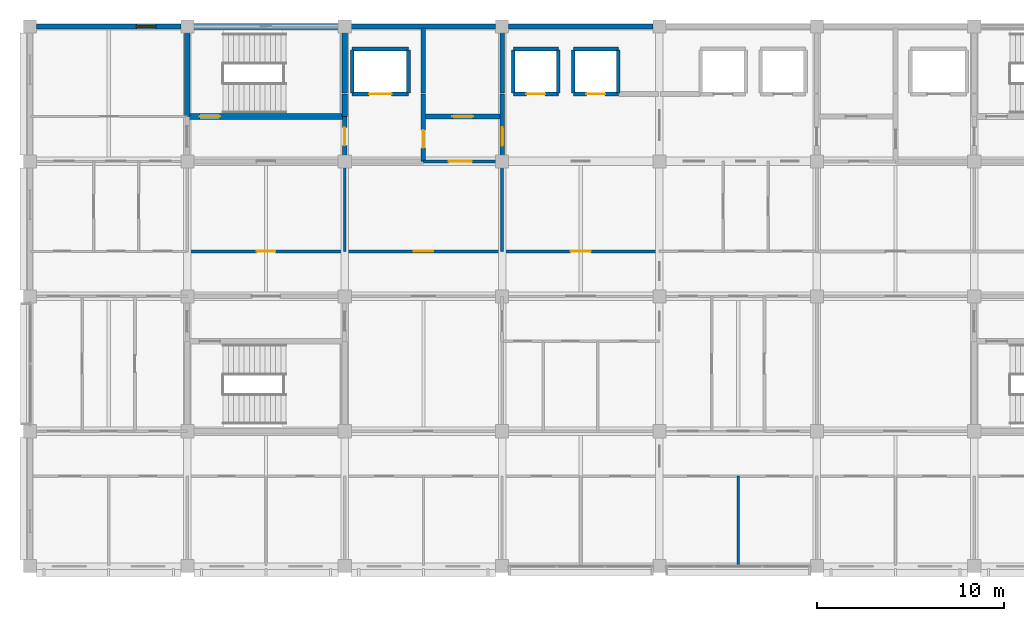
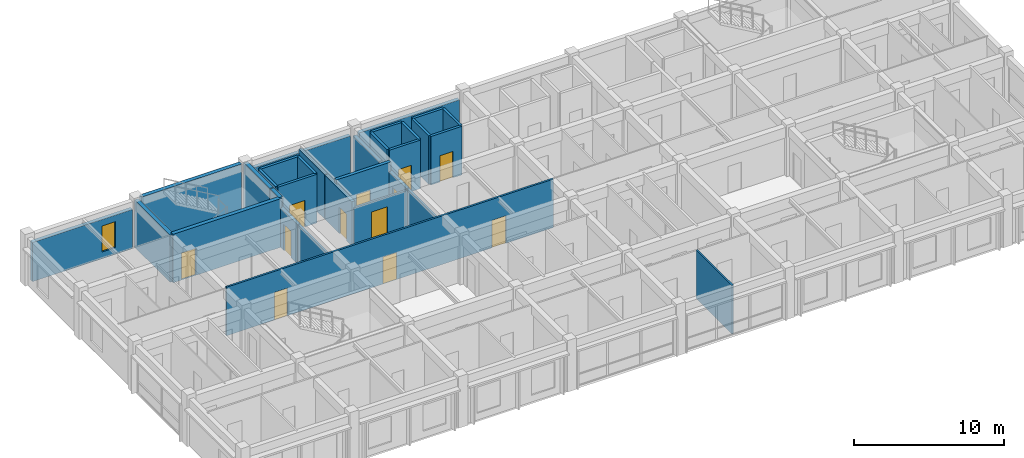
# One storey, part 12 of 19: 31 walls, 12 doors, 1 window, 13 openings.
"""IFC4 building model written with IfcOpenShell, lengths in metres."""

from ifc_helpers import new_model, si_unit, direction, frame, frame_2d, origin, place, context, subcontext, project, spatial, rectangle, extrude, material, layer, layer_set, type_object, element, fill, save


model = new_model("IFC4")

# Units and contexts
model_context = context("Model", 3, precision=1e-05, world=origin(), true_north=direction((0.0, 1.0)))
body_context = subcontext(model_context, "Body", "Model", "MODEL_VIEW")
ifc_project = project(units=[si_unit("LENGTHUNIT", "METRE"), si_unit("AREAUNIT", "SQUARE_METRE"), si_unit("VOLUMEUNIT", "CUBIC_METRE"), si_unit("PLANEANGLEUNIT", "RADIAN"), si_unit("MASSUNIT", "GRAM", prefix="KILO")], contexts=[model_context])

# Site, building, storey
site_placement = place(None, origin())
site = spatial("IfcSite", under=ifc_project, at=site_placement, CompositionType="ELEMENT")
building_placement = place(site_placement, origin())
building = spatial("IfcBuilding", under=site, at=building_placement, Name="Chengyuan Square Courthouse", CompositionType="ELEMENT")
storey_placement = place(building_placement, frame((0.0, 0.0, 56.10009765625)))
storey = spatial("IfcBuildingStorey", under=building, at=storey_placement, Name="L13", CompositionType="ELEMENT", Elevation=56.10009765625)

# Wall, opening, window
ifc_material_1 = material(Name="Concrete C40", Category="concrete")
ifc_layer_1 = layer(ifc_material_1, 0.280029296875)
ifc_layer_set_1 = layer_set([ifc_layer_1], Name="Concrete C40")
wall_type_1 = type_object("IfcWallType", Name="WL-EW4", PredefinedType="STANDARD", material=ifc_layer_set_1)
wall_1_placement = place(storey_placement, frame((50.7451171875, 108.0, 0.0), z_axis=(0.0, 0.0, 1.0), x_axis=(1.0, 0.0, 0.0)))
wall_1 = element("IfcWall", 1, at=wall_1_placement, inside=storey, type_object=wall_type_1, Name="Exterior Wall WL-L13-E491", PredefinedType="STANDARD", context=body_context, shape_type="SweptSolid", body=[
    extrude(rectangle(XDim=7.7099609375, YDim=0.280029296875, at=frame_2d((3.85498046875, 0.0))), origin(), (0.0, 0.0, 1.0), 3.199951171875),
])
opening_1_placement = place(wall_1_placement, frame((5.330078125, 0.0, 0.550048828125)))
opening_1 = element("IfcOpeningElement", 2, at=opening_1_placement, cuts=wall_1, Name="Opening WN-224", PredefinedType="OPENING", context=body_context, shape_type="SweptSolid", body=[
    extrude(rectangle(XDim=1.050048828125, YDim=2.1201171875, at=frame_2d((0.52490234375, 1.06005859375))), frame((0.0, 0.152099609375, 0.0), z_axis=(0.0, -1.0, 0.0), x_axis=(1.0, 0.0, 0.0)), (0.0, 0.0, 1.0), 0.303955078125),
])
ifc_material_2 = material(Name="Thermally Broken Aluminium Triple Low-E Window", Category="aluminium")
window_type = type_object("IfcWindowType", Name="WT-12", PartitioningType="SINGLE_PANEL", PredefinedType="WINDOW", material=ifc_material_2)
window_placement = place(opening_1_placement, origin())
window = element("IfcWindow", 3, at=window_placement, inside=storey, type_object=window_type, Name="Facade Window WN-224", OverallHeight=2.1201171875, OverallWidth=1.050048828125, PartitioningType="SINGLE_PANEL", PredefinedType="WINDOW", context=body_context, shape_type="SweptSolid", body=[
    extrude(rectangle(XDim=1.050048828125, YDim=2.1201171875, at=frame_2d((0.52490234375, 1.06005859375))), frame((0.0, 0.030029296875, 0.0), z_axis=(0.0, -1.0, 0.0), x_axis=(1.0, 0.0, 0.0)), (0.0, 0.0, 1.0), 0.06005859375),
])
fill(opening_1, window)

# Walls
for number, where, z_axis, x_axis, name in (
    (4, (67.544921875, 108.0, 0.0), (0.0, 0.0, 1.0), (1.0, 0.0, 0.0), "Exterior Wall WL-L13-E496"),
    (5, (75.945068359375, 108.0, 0.0), (0.0, 0.0, 1.0), (1.0, 0.0, 0.0), "Exterior Wall WL-L13-E497"),
):
    element("IfcWall", number, at=place(storey_placement, frame(where, z_axis=z_axis, x_axis=x_axis)), inside=storey, type_object=wall_type_1, Name=name, PredefinedType="STANDARD", context=body_context, shape_type="SweptSolid", body=[
        extrude(rectangle(XDim=7.7099609375, YDim=0.280029296875, at=frame_2d((3.85498046875, 0.0))), origin(), (0.0, 0.0, 1.0), 3.309814453125),
    ])

# Wall, opening, door
ifc_layer_2 = layer(ifc_material_1, 0.25)
ifc_layer_set_2 = layer_set([ifc_layer_2], Name="Concrete C40")
wall_type_2 = type_object("IfcWallType", Name="WL-FW1", PredefinedType="STANDARD", material=ifc_layer_set_2)
wall_2_placement = place(storey_placement, frame((71.39990234375, 103.199951171875, 0.0), z_axis=(0.0, 0.0, 1.0), x_axis=(1.0, 0.0, 0.0)))
wall_2 = element("IfcWall", 6, at=wall_2_placement, inside=storey, type_object=wall_type_2, Name="Interior Wall WL-L13-I3805", PredefinedType="STANDARD", context=body_context, shape_type="SweptSolid", body=[
    extrude(rectangle(XDim=4.2001953125, YDim=0.25, at=frame_2d((2.10009765625, 0.0))), origin(), (0.0, 0.0, 1.0), 3.9599609375),
])
opening_2_placement = place(wall_2_placement, frame((1.550048828125, 0.0, 0.0)))
opening_2 = element("IfcOpeningElement", 7, at=opening_2_placement, cuts=wall_2, Name="Opening DR-3140", PredefinedType="OPENING", context=body_context, shape_type="SweptSolid", body=[
    extrude(rectangle(XDim=1.10009765625, YDim=2.199951171875, at=frame_2d((0.550048828125, 1.10009765625))), frame((0.0, 0.136962890625, 0.0), z_axis=(0.0, -1.0, 0.0), x_axis=(1.0, 0.0, 0.0)), (0.0, 0.0, 1.0), 0.27392578125),
])
ifc_material_3 = material(Name="Steel Q235B Fire Door", Category="steel")
door_type_1 = type_object("IfcDoorType", Name="DT-10", OperationType="NOTDEFINED", PredefinedType="DOOR", material=ifc_material_3)
door_1_placement = place(opening_2_placement, origin())
door_1 = element("IfcDoor", 8, at=door_1_placement, inside=storey, type_object=door_type_1, Name="Interior Door DR-3140", OperationType="SINGLE_SWING_LEFT", OverallHeight=2.199951171875, OverallWidth=1.10009765625, PredefinedType="DOOR", context=body_context, shape_type="SweptSolid", body=[
    extrude(rectangle(XDim=1.10009765625, YDim=2.199951171875, at=frame_2d((0.550048828125, 1.10009765625))), frame((0.0, 0.02490234375, 0.0), z_axis=(0.0, -1.0, 0.0), x_axis=(1.0, 0.0, 0.0)), (0.0, 0.0, 1.0), 0.050048828125),
])
fill(opening_2, door_1)

wall_3_placement = place(storey_placement, frame((67.199951171875, 100.800048828125, 0.0), z_axis=(0.0, 0.0, 1.0), x_axis=(0.0, 1.0, 0.0)))
wall_3 = element("IfcWall", 9, at=wall_3_placement, inside=storey, type_object=wall_type_2, Name="Interior Wall WL-L13-I3839", PredefinedType="STANDARD", context=body_context, shape_type="SweptSolid", body=[
    extrude(rectangle(XDim=2.39990234375, YDim=0.25, at=frame_2d((1.199951171875, 0.0))), origin(), (0.0, 0.0, 1.0), 3.2099609375),
])
opening_3_placement = place(wall_3_placement, frame((0.860107421875, 0.0, 0.0)))
opening_3 = element("IfcOpeningElement", 10, at=opening_3_placement, cuts=wall_3, Name="Opening DR-3127", PredefinedType="OPENING", context=body_context, shape_type="SweptSolid", body=[
    extrude(rectangle(XDim=0.949951171875, YDim=2.14990234375, at=frame_2d((0.47509765625, 1.074951171875))), frame((0.0, 0.136962890625, 0.0), z_axis=(0.0, -1.0, 0.0), x_axis=(1.0, 0.0, 0.0)), (0.0, 0.0, 1.0), 0.27392578125),
])
door_type_2 = type_object("IfcDoorType", Name="DT-12", OperationType="NOTDEFINED", PredefinedType="DOOR", material=ifc_material_3)
door_2_placement = place(opening_3_placement, origin())
door_2 = element("IfcDoor", 11, at=door_2_placement, inside=storey, type_object=door_type_2, Name="Interior Door DR-3127", OperationType="SINGLE_SWING_RIGHT", OverallHeight=2.14990234375, OverallWidth=0.949951171875, PredefinedType="DOOR", context=body_context, shape_type="SweptSolid", body=[
    extrude(rectangle(XDim=0.949951171875, YDim=2.14990234375, at=frame_2d((0.47509765625, 1.074951171875))), frame((0.0, 0.02490234375, 0.0), z_axis=(0.0, -1.0, 0.0), x_axis=(1.0, 0.0, 0.0)), (0.0, 0.0, 1.0), 0.050048828125),
])
fill(opening_3, door_2)

wall_4_placement = place(storey_placement, frame((71.39990234375, 100.800048828125, 0.0), z_axis=(0.0, 0.0, 1.0), x_axis=(0.0, 1.0, 0.0)))
wall_4 = element("IfcWall", 12, at=wall_4_placement, inside=storey, type_object=wall_type_2, Name="Interior Wall WL-L13-I3845", PredefinedType="STANDARD", context=body_context, shape_type="SweptSolid", body=[
    extrude(rectangle(XDim=3.599853515625, YDim=0.25, at=frame_2d((1.7998046875, 0.0))), origin(), (0.0, 0.0, 1.0), 3.60986328125),
])
opening_4_placement = place(wall_4_placement, frame((0.72509765625, 0.0, 0.0)))
opening_4 = element("IfcOpeningElement", 13, at=opening_4_placement, cuts=wall_4, Name="Opening DR-3139", PredefinedType="OPENING", context=body_context, shape_type="SweptSolid", body=[
    extrude(rectangle(XDim=0.949951171875, YDim=2.14990234375, at=frame_2d((0.47509765625, 1.074951171875))), frame((0.0, 0.136962890625, 0.0), z_axis=(0.0, -1.0, 0.0), x_axis=(1.0, 0.0, 0.0)), (0.0, 0.0, 1.0), 0.27392578125),
])
door_3_placement = place(opening_4_placement, origin())
door_3 = element("IfcDoor", 14, at=door_3_placement, inside=storey, type_object=door_type_2, Name="Interior Door DR-3139", OperationType="SINGLE_SWING_RIGHT", OverallHeight=2.14990234375, OverallWidth=0.949951171875, PredefinedType="DOOR", context=body_context, shape_type="SweptSolid", body=[
    extrude(rectangle(XDim=0.949951171875, YDim=2.14990234375, at=frame_2d((0.47509765625, 1.074951171875))), frame((0.0, 0.02490234375, 0.0), z_axis=(0.0, -1.0, 0.0), x_axis=(1.0, 0.0, 0.0)), (0.0, 0.0, 1.0), 0.050048828125),
])
fill(opening_4, door_3)

# Wall
wall_5_placement = place(storey_placement, frame((71.39990234375, 104.449951171875, 0.0), z_axis=(0.0, 0.0, 1.0), x_axis=(0.0, 1.0, 0.0)))
element("IfcWall", 15, at=wall_5_placement, inside=storey, type_object=wall_type_2, Name="Interior Wall WL-L13-I3846", PredefinedType="STANDARD", context=body_context, shape_type="SweptSolid", body=[
    extrude(rectangle(XDim=3.4599609375, YDim=0.25, at=frame_2d((1.72998046875, 0.0))), origin(), (0.0, 0.0, 1.0), 3.60986328125),
])

# Wall, opening, door
wall_6_placement = place(storey_placement, frame((75.60009765625, 100.800048828125, 0.0), z_axis=(0.0, 0.0, 1.0), x_axis=(0.0, 1.0, 0.0)))
wall_6 = element("IfcWall", 16, at=wall_6_placement, inside=storey, type_object=wall_type_2, Name="Interior Wall WL-L13-I3851", PredefinedType="STANDARD", context=body_context, shape_type="SweptSolid", body=[
    extrude(rectangle(XDim=3.599853515625, YDim=0.25, at=frame_2d((1.7998046875, 0.0))), origin(), (0.0, 0.0, 1.0), 3.2099609375),
])
opening_5_placement = place(wall_6_placement, frame((0.8349609375, 0.0, 0.0)))
opening_5 = element("IfcOpeningElement", 17, at=opening_5_placement, cuts=wall_6, Name="Opening DR-3141", PredefinedType="OPENING", context=body_context, shape_type="SweptSolid", body=[
    extrude(rectangle(XDim=1.0, YDim=2.199951171875, at=frame_2d((0.5, 1.10009765625))), frame((0.0, 0.136962890625, 0.0), z_axis=(0.0, -1.0, 0.0), x_axis=(1.0, 0.0, 0.0)), (0.0, 0.0, 1.0), 0.27392578125),
])
door_type_3 = type_object("IfcDoorType", Name="DT-11", OperationType="NOTDEFINED", PredefinedType="DOOR", material=ifc_material_3)
door_4_placement = place(opening_5_placement, origin())
door_4 = element("IfcDoor", 18, at=door_4_placement, inside=storey, type_object=door_type_3, Name="Interior Door DR-3141", OperationType="SINGLE_SWING_RIGHT", OverallHeight=2.199951171875, OverallWidth=1.0, PredefinedType="DOOR", context=body_context, shape_type="SweptSolid", body=[
    extrude(rectangle(XDim=1.0, YDim=2.199951171875, at=frame_2d((0.5, 1.10009765625))), frame((0.0, 0.02490234375, 0.0), z_axis=(0.0, -1.0, 0.0), x_axis=(1.0, 0.0, 0.0)), (0.0, 0.0, 1.0), 0.050048828125),
])
fill(opening_5, door_4)

# Wall
wall_7_placement = place(storey_placement, frame((75.60009765625, 104.449951171875, 0.0), z_axis=(0.0, 0.0, 1.0), x_axis=(0.0, 1.0, 0.0)))
element("IfcWall", 19, at=wall_7_placement, inside=storey, type_object=wall_type_2, Name="Interior Wall WL-L13-I3852", PredefinedType="STANDARD", context=body_context, shape_type="SweptSolid", body=[
    extrude(rectangle(XDim=3.4599609375, YDim=0.25, at=frame_2d((1.72998046875, 0.0))), origin(), (0.0, 0.0, 1.0), 3.2099609375),
])

# Wall, openings, doors
ifc_material_4 = material(Name="Deliberation Room Sound-Insulated Partition")
ifc_layer_3 = layer(ifc_material_4, 0.14990234375)
ifc_layer_set_3 = layer_set([ifc_layer_3], Name="Deliberation Room Sound-Insulated Partition")
wall_type_3 = type_object("IfcWallType", Name="WL-PT3", PredefinedType="STANDARD", material=ifc_layer_set_3)
wall_8_placement = place(storey_placement, frame((58.800048828125, 96.0, 0.0), z_axis=(0.0, 0.0, 1.0), x_axis=(1.0, 0.0, 0.0)))
wall_8 = element("IfcWall", 20, at=wall_8_placement, inside=storey, type_object=wall_type_3, Name="Interior Wall WL-L13-I3792", PredefinedType="STANDARD", context=body_context, shape_type="SweptSolid", body=[
    extrude(rectangle(XDim=25.199951171875, YDim=0.14990234375, at=frame_2d((12.60009765625, 0.0))), origin(), (0.0, 0.0, 1.0), 3.9599609375),
])
opening_6_placement = place(wall_8_placement, frame((3.699951171875, 0.0, 0.0)))
opening_6 = element("IfcOpeningElement", 21, at=opening_6_placement, cuts=wall_8, Name="Opening DR-3170", PredefinedType="OPENING", context=body_context, shape_type="SweptSolid", body=[
    extrude(rectangle(XDim=1.0, YDim=2.25, at=frame_2d((0.5, 1.125))), frame((0.0, 0.0869140625, 0.0), z_axis=(0.0, -1.0, 0.0), x_axis=(1.0, 0.0, 0.0)), (0.0, 0.0, 1.0), 0.173828125),
])
opening_7_placement = place(wall_8_placement, frame((12.080078125, 0.0, 0.0)))
opening_7 = element("IfcOpeningElement", 22, at=opening_7_placement, cuts=wall_8, Name="Opening DR-3171", PredefinedType="OPENING", context=body_context, shape_type="SweptSolid", body=[
    extrude(rectangle(XDim=1.0400390625, YDim=2.199951171875, at=frame_2d((0.52001953125, 1.10009765625))), frame((0.0, 0.0869140625, 0.0), z_axis=(0.0, -1.0, 0.0), x_axis=(1.0, 0.0, 0.0)), (0.0, 0.0, 1.0), 0.173828125),
])
opening_8_placement = place(wall_8_placement, frame((20.4599609375, 0.0, 0.0)))
opening_8 = element("IfcOpeningElement", 23, at=opening_8_placement, cuts=wall_8, Name="Opening DR-3172", PredefinedType="OPENING", context=body_context, shape_type="SweptSolid", body=[
    extrude(rectangle(XDim=1.080078125, YDim=2.25, at=frame_2d((0.5400390625, 1.125))), frame((0.0, 0.0869140625, 0.0), z_axis=(0.0, -1.0, 0.0), x_axis=(1.0, 0.0, 0.0)), (0.0, 0.0, 1.0), 0.173828125),
])
ifc_material_5 = material(Name="Acoustic Solid-Core Timber Door", Category="wood")
door_type_4 = type_object("IfcDoorType", Name="DT-31", OperationType="NOTDEFINED", PredefinedType="DOOR", material=ifc_material_5)
door_5_placement = place(opening_6_placement, origin())
door_5 = element("IfcDoor", 24, at=door_5_placement, inside=storey, type_object=door_type_4, Name="Interior Door DR-3170", OperationType="SINGLE_SWING_LEFT", OverallHeight=2.25, OverallWidth=1.0, PredefinedType="DOOR", context=body_context, shape_type="SweptSolid", body=[
    extrude(rectangle(XDim=1.0, YDim=2.25, at=frame_2d((0.5, 1.125))), frame((0.0, 0.02490234375, 0.0), z_axis=(0.0, -1.0, 0.0), x_axis=(1.0, 0.0, 0.0)), (0.0, 0.0, 1.0), 0.050048828125),
])
fill(opening_6, door_5)
door_type_5 = type_object("IfcDoorType", Name="DT-32", OperationType="NOTDEFINED", PredefinedType="DOOR", material=ifc_material_5)
door_6_placement = place(opening_7_placement, origin())
door_6 = element("IfcDoor", 25, at=door_6_placement, inside=storey, type_object=door_type_5, Name="Interior Door DR-3171", OperationType="SINGLE_SWING_RIGHT", OverallHeight=2.199951171875, OverallWidth=1.0400390625, PredefinedType="DOOR", context=body_context, shape_type="SweptSolid", body=[
    extrude(rectangle(XDim=1.0400390625, YDim=2.199951171875, at=frame_2d((0.52001953125, 1.10009765625))), frame((0.0, 0.02490234375, 0.0), z_axis=(0.0, -1.0, 0.0), x_axis=(1.0, 0.0, 0.0)), (0.0, 0.0, 1.0), 0.050048828125),
])
fill(opening_7, door_6)
door_type_6 = type_object("IfcDoorType", Name="DT-33", OperationType="NOTDEFINED", PredefinedType="DOOR", material=ifc_material_5)
door_7_placement = place(opening_8_placement, origin())
door_7 = element("IfcDoor", 26, at=door_7_placement, inside=storey, type_object=door_type_6, Name="Interior Door DR-3172", OperationType="SINGLE_SWING_LEFT", OverallHeight=2.25, OverallWidth=1.080078125, PredefinedType="DOOR", context=body_context, shape_type="SweptSolid", body=[
    extrude(rectangle(XDim=1.080078125, YDim=2.25, at=frame_2d((0.5400390625, 1.125))), frame((0.0, 0.02490234375, 0.0), z_axis=(0.0, -1.0, 0.0), x_axis=(1.0, 0.0, 0.0)), (0.0, 0.0, 1.0), 0.050048828125),
])
fill(opening_8, door_7)

# Wall, opening, door
wall_9_placement = place(storey_placement, frame((71.39990234375, 100.800048828125, 0.0), z_axis=(0.0, 0.0, 1.0), x_axis=(1.0, 0.0, 0.0)))
wall_9 = element("IfcWall", 27, at=wall_9_placement, inside=storey, type_object=wall_type_3, Name="Interior Wall WL-L13-I3798", PredefinedType="STANDARD", context=body_context, shape_type="SweptSolid", body=[
    extrude(rectangle(XDim=4.2001953125, YDim=0.14990234375, at=frame_2d((2.10009765625, 0.0))), origin(), (0.0, 0.0, 1.0), 3.10986328125),
])
opening_9_placement = place(wall_9_placement, frame((1.344970703125, 0.0, 0.0)))
opening_9 = element("IfcOpeningElement", 28, at=opening_9_placement, cuts=wall_9, Name="Opening DR-3142", PredefinedType="OPENING", context=body_context, shape_type="SweptSolid", body=[
    extrude(rectangle(XDim=1.239990234375, YDim=2.300048828125, at=frame_2d((0.6201171875, 1.14990234375))), frame((0.0, 0.0869140625, 0.0), z_axis=(0.0, -1.0, 0.0), x_axis=(1.0, 0.0, 0.0)), (0.0, 0.0, 1.0), 0.173828125),
])
door_type_7 = type_object("IfcDoorType", Name="DT-37", OperationType="NOTDEFINED", PredefinedType="DOOR", material=ifc_material_5)
door_8_placement = place(opening_9_placement, origin())
door_8 = element("IfcDoor", 29, at=door_8_placement, inside=storey, type_object=door_type_7, Name="Interior Door DR-3142", OperationType="SINGLE_SWING_LEFT", OverallHeight=2.300048828125, OverallWidth=1.239990234375, PredefinedType="DOOR", context=body_context, shape_type="SweptSolid", body=[
    extrude(rectangle(XDim=1.239990234375, YDim=2.300048828125, at=frame_2d((0.6201171875, 1.14990234375))), frame((0.0, 0.02490234375, 0.0), z_axis=(0.0, -1.0, 0.0), x_axis=(1.0, 0.0, 0.0)), (0.0, 0.0, 1.0), 0.050048828125),
])
fill(opening_9, door_8)

# Walls
for number, where, z_axis, x_axis, name in (
    (30, (67.199951171875, 96.0, 0.0), (0.0, 0.0, 1.0), (0.0, 1.0, 0.0), "Interior Wall WL-L13-I3838"),
    (31, (75.60009765625, 96.0, 0.0), (0.0, 0.0, 1.0), (0.0, 1.0, 0.0), "Interior Wall WL-L13-I3850"),
):
    element("IfcWall", number, at=place(storey_placement, frame(where, z_axis=z_axis, x_axis=x_axis)), inside=storey, type_object=wall_type_3, Name=name, PredefinedType="STANDARD", context=body_context, shape_type="SweptSolid", body=[
        extrude(rectangle(XDim=4.800048828125, YDim=0.14990234375, at=frame_2d((2.39990234375, 0.0))), origin(), (0.0, 0.0, 1.0), 3.2099609375),
    ])
ifc_material_6 = material(Name="Judges Chambers Gypsum Stud Partition")
ifc_layer_4 = layer(ifc_material_6, 0.1201171875)
ifc_layer_set_4 = layer_set([ifc_layer_4], Name="Judges Chambers Gypsum Stud Partition")
wall_type_4 = type_object("IfcWallType", Name="WL-PT5", PredefinedType="STANDARD", material=ifc_layer_set_4)
wall_10_placement = place(storey_placement, frame((88.199951171875, 79.239990234375, 0.0), z_axis=(0.0, 0.0, 1.0), x_axis=(0.0, 1.0, 0.0)))
element("IfcWall", 32, at=wall_10_placement, inside=storey, type_object=wall_type_4, Name="Interior Wall WL-L13-I3864", PredefinedType="STANDARD", context=body_context, shape_type="SweptSolid", body=[
    extrude(rectangle(XDim=4.760009765625, YDim=0.1201171875, at=frame_2d((2.3798828125, 0.0))), origin(), (0.0, 0.0, 1.0), 3.9599609375),
])

# Wall, opening, door
ifc_material_7 = material(Name="Reinforced Masonry Shaft Enclosure", Category="masonry")
ifc_layer_5 = layer(ifc_material_7, 0.199951171875)
ifc_layer_set_5 = layer_set([ifc_layer_5], Name="Reinforced Masonry Shaft Enclosure")
wall_type_5 = type_object("IfcWallType", Name="WL-SH1", PredefinedType="STANDARD", material=ifc_layer_set_5)
wall_11_placement = place(storey_placement, frame((67.60009765625, 104.39990234375, 0.0), z_axis=(0.0, 0.0, 1.0), x_axis=(1.0, 0.0, 0.0)))
wall_11 = element("IfcWall", 33, at=wall_11_placement, inside=storey, type_object=wall_type_5, Name="Interior Wall WL-L13-I3809", PredefinedType="STANDARD", context=body_context, shape_type="SweptSolid", body=[
    extrude(rectangle(XDim=3.0, YDim=0.199951171875, at=frame_2d((1.5, 0.0))), origin(), (0.0, 0.0, 1.0), 3.9599609375),
])
opening_10_placement = place(wall_11_placement, frame((0.89990234375, 0.0, 0.0)))
opening_10 = element("IfcOpeningElement", 34, at=opening_10_placement, cuts=wall_11, Name="Opening LD-193", PredefinedType="OPENING", context=body_context, shape_type="SweptSolid", body=[
    extrude(rectangle(XDim=1.199951171875, YDim=2.14990234375, at=frame_2d((0.60009765625, 1.074951171875))), frame((0.0, 0.112060546875, 0.0), z_axis=(0.0, -1.0, 0.0), x_axis=(1.0, 0.0, 0.0)), (0.0, 0.0, 1.0), 0.223876953125),
])
ifc_material_8 = material(Name="Stainless Steel S30408 Lift Landing Door", Category="steel")
door_type_8 = type_object("IfcDoorType", Name="DT-05", OperationType="DOUBLE_DOOR_SLIDING", PredefinedType="DOOR", material=ifc_material_8)
door_9_placement = place(opening_10_placement, origin())
door_9 = element("IfcDoor", 35, at=door_9_placement, inside=storey, type_object=door_type_8, Name="Lift Landing Door LF-F1 L13", OperationType="DOUBLE_DOOR_SLIDING", OverallHeight=2.14990234375, OverallWidth=1.199951171875, PredefinedType="DOOR", context=body_context, shape_type="SweptSolid", body=[
    extrude(rectangle(XDim=1.199951171875, YDim=2.14990234375, at=frame_2d((0.60009765625, 1.074951171875))), frame((0.0, 0.02490234375, 0.0), z_axis=(0.0, -1.0, 0.0), x_axis=(1.0, 0.0, 0.0)), (0.0, 0.0, 1.0), 0.050048828125),
])
fill(opening_10, door_9)

wall_12_placement = place(storey_placement, frame((76.199951171875, 104.39990234375, 0.0), z_axis=(0.0, 0.0, 1.0), x_axis=(1.0, 0.0, 0.0)))
wall_12 = element("IfcWall", 36, at=wall_12_placement, inside=storey, type_object=wall_type_5, Name="Interior Wall WL-L13-I3810", PredefinedType="STANDARD", context=body_context, shape_type="SweptSolid", body=[
    extrude(rectangle(XDim=2.400146484375, YDim=0.199951171875, at=frame_2d((1.2001953125, 0.0))), origin(), (0.0, 0.0, 1.0), 3.9599609375),
])
opening_11_placement = place(wall_12_placement, frame((0.699951171875, 0.0, 0.0)))
opening_11 = element("IfcOpeningElement", 37, at=opening_11_placement, cuts=wall_12, Name="Opening LD-195", PredefinedType="OPENING", context=body_context, shape_type="SweptSolid", body=[
    extrude(rectangle(XDim=1.0, YDim=2.14990234375, at=frame_2d((0.5, 1.074951171875))), frame((0.0, 0.112060546875, 0.0), z_axis=(0.0, -1.0, 0.0), x_axis=(1.0, 0.0, 0.0)), (0.0, 0.0, 1.0), 0.223876953125),
])
door_type_9 = type_object("IfcDoorType", Name="DT-07", OperationType="DOUBLE_DOOR_SLIDING", PredefinedType="DOOR", material=ifc_material_8)
door_10_placement = place(opening_11_placement, origin())
door_10 = element("IfcDoor", 38, at=door_10_placement, inside=storey, type_object=door_type_9, Name="Lift Landing Door LF-J1 L13", OperationType="DOUBLE_DOOR_SLIDING", OverallHeight=2.14990234375, OverallWidth=1.0, PredefinedType="DOOR", context=body_context, shape_type="SweptSolid", body=[
    extrude(rectangle(XDim=1.0, YDim=2.14990234375, at=frame_2d((0.5, 1.074951171875))), frame((0.0, 0.02490234375, 0.0), z_axis=(0.0, -1.0, 0.0), x_axis=(1.0, 0.0, 0.0)), (0.0, 0.0, 1.0), 0.050048828125),
])
fill(opening_11, door_10)

wall_13_placement = place(storey_placement, frame((79.39990234375, 104.39990234375, 0.0), z_axis=(0.0, 0.0, 1.0), x_axis=(1.0, 0.0, 0.0)))
wall_13 = element("IfcWall", 39, at=wall_13_placement, inside=storey, type_object=wall_type_5, Name="Interior Wall WL-L13-I3811", PredefinedType="STANDARD", context=body_context, shape_type="SweptSolid", body=[
    extrude(rectangle(XDim=2.400146484375, YDim=0.199951171875, at=frame_2d((1.2001953125, 0.0))), origin(), (0.0, 0.0, 1.0), 3.9599609375),
])
opening_12_placement = place(wall_13_placement, frame((0.699951171875, 0.0, 0.0)))
opening_12 = element("IfcOpeningElement", 40, at=opening_12_placement, cuts=wall_13, Name="Opening LD-196", PredefinedType="OPENING", context=body_context, shape_type="SweptSolid", body=[
    extrude(rectangle(XDim=1.0, YDim=2.14990234375, at=frame_2d((0.5, 1.074951171875))), frame((0.0, 0.112060546875, 0.0), z_axis=(0.0, -1.0, 0.0), x_axis=(1.0, 0.0, 0.0)), (0.0, 0.0, 1.0), 0.223876953125),
])
door_11_placement = place(opening_12_placement, origin())
door_11 = element("IfcDoor", 41, at=door_11_placement, inside=storey, type_object=door_type_9, Name="Lift Landing Door LF-J2 L13", OperationType="DOUBLE_DOOR_SLIDING", OverallHeight=2.14990234375, OverallWidth=1.0, PredefinedType="DOOR", context=body_context, shape_type="SweptSolid", body=[
    extrude(rectangle(XDim=1.0, YDim=2.14990234375, at=frame_2d((0.5, 1.074951171875))), frame((0.0, 0.02490234375, 0.0), z_axis=(0.0, -1.0, 0.0), x_axis=(1.0, 0.0, 0.0)), (0.0, 0.0, 1.0), 0.050048828125),
])
fill(opening_12, door_11)

# Walls
wall_14_placement = place(storey_placement, frame((67.60009765625, 106.800048828125, 0.0), z_axis=(0.0, 0.0, 1.0), x_axis=(1.0, 0.0, 0.0)))
element("IfcWall", 42, at=wall_14_placement, inside=storey, type_object=wall_type_5, Name="Interior Wall WL-L13-I3817", PredefinedType="STANDARD", context=body_context, shape_type="SweptSolid", body=[
    extrude(rectangle(XDim=3.0, YDim=0.199951171875, at=frame_2d((1.5, 0.0))), origin(), (0.0, 0.0, 1.0), 3.9599609375),
])
for number, where, z_axis, x_axis, name in (
    (43, (76.199951171875, 106.800048828125, 0.0), (0.0, 0.0, 1.0), (1.0, 0.0, 0.0), "Interior Wall WL-L13-I3818"),
    (44, (79.39990234375, 106.800048828125, 0.0), (0.0, 0.0, 1.0), (1.0, 0.0, 0.0), "Interior Wall WL-L13-I3819"),
):
    element("IfcWall", number, at=place(storey_placement, frame(where, z_axis=z_axis, x_axis=x_axis)), inside=storey, type_object=wall_type_5, Name=name, PredefinedType="STANDARD", context=body_context, shape_type="SweptSolid", body=[
        extrude(rectangle(XDim=2.400146484375, YDim=0.199951171875, at=frame_2d((1.2001953125, 0.0))), origin(), (0.0, 0.0, 1.0), 3.9599609375),
    ])
for number, where, z_axis, x_axis, name in (
    (45, (67.60009765625, 104.449951171875, 0.0), (0.0, 0.0, 1.0), (0.0, 1.0, 0.0), "Interior Wall WL-L13-I3842"),
    (46, (70.60009765625, 104.449951171875, 0.0), (0.0, 0.0, 1.0), (0.0, 1.0, 0.0), "Interior Wall WL-L13-I3843"),
    (47, (76.199951171875, 104.449951171875, 0.0), (0.0, 0.0, 1.0), (0.0, 1.0, 0.0), "Interior Wall WL-L13-I3853"),
    (48, (78.60009765625, 104.449951171875, 0.0), (0.0, 0.0, 1.0), (0.0, 1.0, 0.0), "Interior Wall WL-L13-I3855"),
    (49, (79.39990234375, 104.449951171875, 0.0), (0.0, 0.0, 1.0), (0.0, 1.0, 0.0), "Interior Wall WL-L13-I3856"),
    (50, (81.800048828125, 104.449951171875, 0.0), (0.0, 0.0, 1.0), (0.0, 1.0, 0.0), "Interior Wall WL-L13-I3859"),
):
    element("IfcWall", number, at=place(storey_placement, frame(where, z_axis=z_axis, x_axis=x_axis)), inside=storey, type_object=wall_type_5, Name=name, PredefinedType="STANDARD", context=body_context, shape_type="SweptSolid", body=[
        extrude(rectangle(XDim=2.300048828125, YDim=0.199951171875, at=frame_2d((1.14990234375, 0.0))), origin(), (0.0, 0.0, 1.0), 3.9599609375),
    ])
ifc_layer_6 = layer(ifc_material_1, 0.300048828125)
ifc_layer_set_6 = layer_set([ifc_layer_6], Name="Concrete C40")
wall_type_6 = type_object("IfcWallType", Name="WL-SW2", PredefinedType="SHEAR", material=ifc_layer_set_6)
wall_15_placement = place(storey_placement, frame((59.14501953125, 108.0, 0.0), z_axis=(0.0, 0.0, 1.0), x_axis=(1.0, 0.0, 0.0)))
element("IfcWall", 51, at=wall_15_placement, inside=storey, type_object=wall_type_6, Name="Exterior Wall WL-L13-E494", PredefinedType="SHEAR", context=body_context, shape_type="SweptSolid", body=[
    extrude(rectangle(XDim=7.7099609375, YDim=0.300048828125, at=frame_2d((3.85498046875, 0.0))), origin(), (0.0, 0.0, 1.0), 3.9599609375),
])

# Wall, opening, door
wall_16_placement = place(storey_placement, frame((58.800048828125, 103.199951171875, 0.0), z_axis=(0.0, 0.0, 1.0), x_axis=(1.0, 0.0, 0.0)))
wall_16 = element("IfcWall", 52, at=wall_16_placement, inside=storey, type_object=wall_type_6, Name="Interior Wall WL-L13-I3804", PredefinedType="SHEAR", context=body_context, shape_type="SweptSolid", body=[
    extrude(rectangle(XDim=8.39990234375, YDim=0.300048828125, at=frame_2d((4.199951171875, 0.0))), origin(), (0.0, 0.0, 1.0), 3.9599609375),
])
opening_13_placement = place(wall_16_placement, frame((0.64990234375, 0.0, 0.0)))
opening_13 = element("IfcOpeningElement", 53, at=opening_13_placement, cuts=wall_16, Name="Opening DR-3123", PredefinedType="OPENING", context=body_context, shape_type="SweptSolid", body=[
    extrude(rectangle(XDim=1.10009765625, YDim=2.199951171875, at=frame_2d((0.550048828125, 1.10009765625))), frame((0.0, 0.162109375, 0.0), z_axis=(0.0, -1.0, 0.0), x_axis=(1.0, 0.0, 0.0)), (0.0, 0.0, 1.0), 0.323974609375),
])
door_12_placement = place(opening_13_placement, origin())
door_12 = element("IfcDoor", 54, at=door_12_placement, inside=storey, type_object=door_type_1, Name="Smoke-Proof Stairwell Fire Door ST-1 DR-3123", OperationType="SINGLE_SWING_RIGHT", OverallHeight=2.199951171875, OverallWidth=1.10009765625, PredefinedType="DOOR", context=body_context, shape_type="SweptSolid", body=[
    extrude(rectangle(XDim=1.10009765625, YDim=2.199951171875, at=frame_2d((0.550048828125, 1.10009765625))), frame((0.0, 0.02490234375, 0.0), z_axis=(0.0, -1.0, 0.0), x_axis=(1.0, 0.0, 0.0)), (0.0, 0.0, 1.0), 0.050048828125),
])
fill(opening_13, door_12)

# Walls
wall_17_placement = place(storey_placement, frame((58.800048828125, 103.199951171875, 0.0), z_axis=(0.0, 0.0, 1.0), x_axis=(0.0, 1.0, 0.0)))
element("IfcWall", 55, at=wall_17_placement, inside=storey, type_object=wall_type_6, Name="Interior Wall WL-L13-I3833", PredefinedType="SHEAR", context=body_context, shape_type="SweptSolid", body=[
    extrude(rectangle(XDim=4.760009765625, YDim=0.300048828125, at=frame_2d((2.3798828125, 0.0))), origin(), (0.0, 0.0, 1.0), 3.849853515625),
])
wall_18_placement = place(storey_placement, frame((67.199951171875, 103.199951171875, 0.0), z_axis=(0.0, 0.0, 1.0), x_axis=(0.0, 1.0, 0.0)))
element("IfcWall", 56, at=wall_18_placement, inside=storey, type_object=wall_type_6, Name="Interior Wall WL-L13-I3840", PredefinedType="SHEAR", context=body_context, shape_type="SweptSolid", body=[
    extrude(rectangle(XDim=1.199951171875, YDim=0.300048828125, at=frame_2d((0.60009765625, 0.0))), origin(), (0.0, 0.0, 1.0), 3.9599609375),
])
wall_19_placement = place(storey_placement, frame((67.199951171875, 104.449951171875, 0.0), z_axis=(0.0, 0.0, 1.0), x_axis=(0.0, 1.0, 0.0)))
element("IfcWall", 57, at=wall_19_placement, inside=storey, type_object=wall_type_6, Name="Interior Wall WL-L13-I3841", PredefinedType="SHEAR", context=body_context, shape_type="SweptSolid", body=[
    extrude(rectangle(XDim=3.4599609375, YDim=0.300048828125, at=frame_2d((1.72998046875, 0.0))), origin(), (0.0, 0.0, 1.0), 3.9599609375),
])

save(model, "model.ifc")
